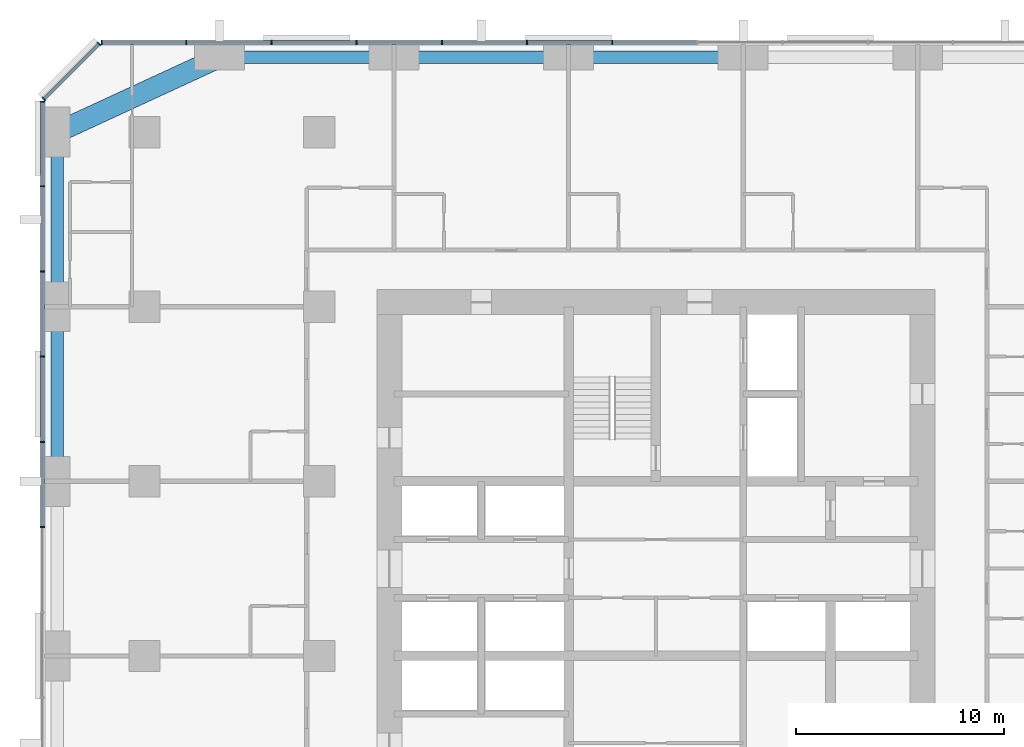
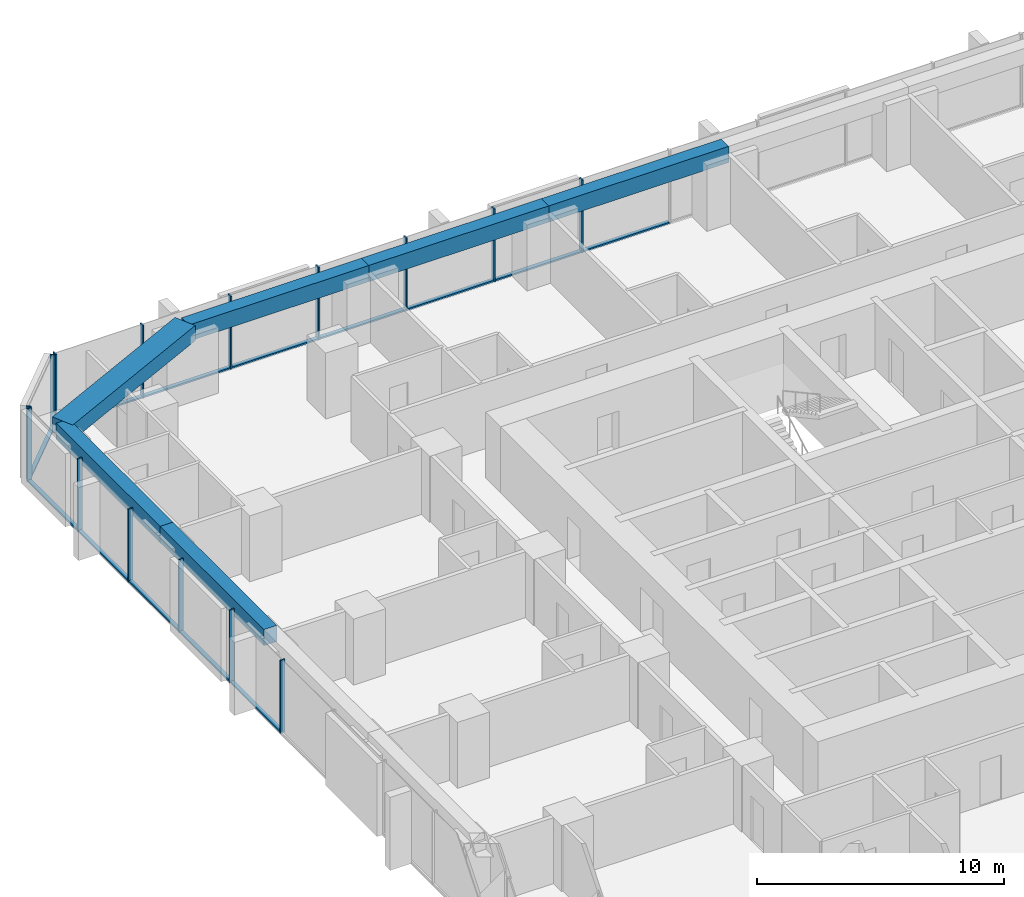
# One storey, part 5 of 13: 28 members, 6 beams, 3 elements without a shape of their own.
"""IFC4 building model written with IfcOpenShell, lengths in metres."""

from ifc_helpers import new_model, si_unit, direction, frame, origin, origin_2d, place, context, subcontext, project, spatial, rectangle, extrude, material, material_profile, profile_set, type_object, element, aggregate, save


model = new_model("IFC4")

# Units and contexts
model_context = context("Model", 3, precision=1e-05, world=origin(), true_north=direction((0.0, 1.0)))
body_context = subcontext(model_context, "Body", "Model", "MODEL_VIEW")
ifc_project = project(units=[si_unit("LENGTHUNIT", "METRE"), si_unit("AREAUNIT", "SQUARE_METRE"), si_unit("VOLUMEUNIT", "CUBIC_METRE"), si_unit("PLANEANGLEUNIT", "RADIAN"), si_unit("MASSUNIT", "GRAM", prefix="KILO")], contexts=[model_context])

# Site, building, storey
site_placement = place(None, origin())
site = spatial("IfcSite", under=ifc_project, at=site_placement, CompositionType="ELEMENT")
building_placement = place(site_placement, origin())
building = spatial("IfcBuilding", under=site, at=building_placement, Name="Dunama Terrace Hotel", CompositionType="ELEMENT")
storey_placement = place(building_placement, frame((0.0, 0.0, 115.199951171875)))
storey = spatial("IfcBuildingStorey", under=building, at=storey_placement, Name="L29", CompositionType="ELEMENT", Elevation=115.199951171875)

# Curtain wall, members
ifc_material_1 = material(Name="Aluminium curtain wall system", Category="aluminium")
curtain_wall_type = type_object("IfcCurtainWallType", Name="Unitised fritted glass wall CW-B", PredefinedType="NOTDEFINED", material=ifc_material_1)
curtain_wall_1_placement = place(storey_placement, origin())
curtain_wall_1 = element("IfcCurtainWall", 1, at=curtain_wall_1_placement, inside=storey, type_object=curtain_wall_type, Name="Unitised fritted glass wall CW-B L29", PredefinedType="NOTDEFINED")
ifc_material_2 = material(Name="Aluminium mullion", Category="aluminium")
ifc_material_profile_1 = material_profile(ifc_material_2, rectangle(XDim=0.06494140625, YDim=0.219970703125, at=origin_2d()), Name="CWB MULLION 65X220")
ifc_profile_set_1 = profile_set([ifc_material_profile_1], Name="Aluminium mullion")
member_type_1 = type_object("IfcMemberType", Name="CWB mullion 65x220", PredefinedType="MULLION", material=ifc_profile_set_1)
member_1_placement = place(storey_placement, frame((27.300048828125, 54.7099609375, 0.0), z_axis=(0.0, 0.0, 1.0), x_axis=(-1.0, 0.0, 0.0)))
member_1 = element("IfcMember", 2, at=member_1_placement, type_object=member_type_1, Name="CWB mullion", PredefinedType="MULLION", context=body_context, shape_type="SweptSolid", body=[
    extrude(rectangle(XDim=0.06494140625, YDim=0.219970703125, at=origin_2d()), origin(), (0.0, 0.0, 1.0), 3.60009765625),
])
member_2_placement = place(storey_placement, frame((23.199951171875, 54.7099609375, 0.0), z_axis=(0.0, 0.0, 1.0), x_axis=(-1.0, 0.0, 0.0)))
member_2 = element("IfcMember", 3, at=member_2_placement, type_object=member_type_1, Name="CWB mullion", PredefinedType="MULLION", context=body_context, shape_type="SweptSolid", body=[
    extrude(rectangle(XDim=0.06494140625, YDim=0.219970703125, at=origin_2d()), origin(), (0.0, 0.0, 1.0), 3.60009765625),
])
member_3_placement = place(storey_placement, frame((19.10009765625, 54.7099609375, 0.0), z_axis=(0.0, 0.0, 1.0), x_axis=(-1.0, 0.0, 0.0)))
member_3 = element("IfcMember", 4, at=member_3_placement, type_object=member_type_1, Name="CWB mullion", PredefinedType="MULLION", context=body_context, shape_type="SweptSolid", body=[
    extrude(rectangle(XDim=0.06494140625, YDim=0.219970703125, at=origin_2d()), origin(), (0.0, 0.0, 1.0), 3.60009765625),
])
member_4_placement = place(storey_placement, frame((15.0, 54.7099609375, 0.0), z_axis=(0.0, 0.0, 1.0), x_axis=(-1.0, 0.0, 0.0)))
member_4 = element("IfcMember", 5, at=member_4_placement, type_object=member_type_1, Name="CWB mullion", PredefinedType="MULLION", context=body_context, shape_type="SweptSolid", body=[
    extrude(rectangle(XDim=0.06494140625, YDim=0.219970703125, at=origin_2d()), origin(), (0.0, 0.0, 1.0), 3.60009765625),
])
member_5_placement = place(storey_placement, frame((10.89990234375, 54.7099609375, 0.0), z_axis=(0.0, 0.0, 1.0), x_axis=(-1.0, 0.0, 0.0)))
member_5 = element("IfcMember", 6, at=member_5_placement, type_object=member_type_1, Name="CWB mullion", PredefinedType="MULLION", context=body_context, shape_type="SweptSolid", body=[
    extrude(rectangle(XDim=0.06494140625, YDim=0.219970703125, at=origin_2d()), origin(), (0.0, 0.0, 1.0), 3.60009765625),
])
member_6_placement = place(storey_placement, frame((6.800048828125, 54.7099609375, 0.0), z_axis=(0.0, 0.0, 1.0), x_axis=(-1.0, 0.0, 0.0)))
member_6 = element("IfcMember", 7, at=member_6_placement, type_object=member_type_1, Name="CWB mullion", PredefinedType="MULLION", context=body_context, shape_type="SweptSolid", body=[
    extrude(rectangle(XDim=0.06494140625, YDim=0.219970703125, at=origin_2d()), origin(), (0.0, 0.0, 1.0), 3.60009765625),
])
member_7_placement = place(storey_placement, frame((2.73291015625, 54.7099609375, 0.0), z_axis=(0.0, 0.0, 1.0), x_axis=(-1.0, 0.0, 0.0)))
member_7 = element("IfcMember", 8, at=member_7_placement, type_object=member_type_1, Name="CWB mullion", PredefinedType="MULLION", context=body_context, shape_type="SweptSolid", body=[
    extrude(rectangle(XDim=0.06494140625, YDim=0.219970703125, at=origin_2d()), origin(), (0.0, 0.0, 1.0), 3.60009765625),
])

curtain_wall_2_placement = place(storey_placement, origin())
curtain_wall_2 = element("IfcCurtainWall", 9, at=curtain_wall_2_placement, inside=storey, type_object=curtain_wall_type, Name="Unitised fritted glass wall CW-B L29", PredefinedType="NOTDEFINED")
member_8_placement = place(storey_placement, frame((2.59912109375, 54.655029296875, 0.0), z_axis=(0.0, 0.0, 1.0), x_axis=(-0.707106781187, -0.707106781187, 0.0)))
member_8 = element("IfcMember", 10, at=member_8_placement, type_object=member_type_1, Name="CWB mullion", PredefinedType="MULLION", context=body_context, shape_type="SweptSolid", body=[
    extrude(rectangle(XDim=0.06494140625, YDim=0.219970703125, at=origin_2d()), origin(), (0.0, 0.0, 1.0), 3.60009765625),
])
member_9_placement = place(storey_placement, frame((-0.054931640625, 52.0009765625, 0.0), z_axis=(0.0, 0.0, 1.0), x_axis=(-0.707106781187, -0.707106781187, 0.0)))
member_9 = element("IfcMember", 11, at=member_9_placement, type_object=member_type_1, Name="CWB mullion", PredefinedType="MULLION", context=body_context, shape_type="SweptSolid", body=[
    extrude(rectangle(XDim=0.06494140625, YDim=0.219970703125, at=origin_2d()), origin(), (0.0, 0.0, 1.0), 3.60009765625),
])

curtain_wall_3_placement = place(storey_placement, origin())
curtain_wall_3 = element("IfcCurtainWall", 12, at=curtain_wall_3_placement, inside=storey, type_object=curtain_wall_type, Name="Unitised fritted glass wall CW-B L29", PredefinedType="NOTDEFINED")
member_10_placement = place(storey_placement, frame((-0.110107421875, 51.866943359375, 0.0), z_axis=(0.0, 0.0, 1.0), x_axis=(0.0, -1.0, 0.0)))
member_10 = element("IfcMember", 13, at=member_10_placement, type_object=member_type_1, Name="CWB mullion", PredefinedType="MULLION", context=body_context, shape_type="SweptSolid", body=[
    extrude(rectangle(XDim=0.06494140625, YDim=0.219970703125, at=origin_2d()), origin(), (0.0, 0.0, 1.0), 3.60009765625),
])
member_11_placement = place(storey_placement, frame((-0.110107421875, 47.800048828125, 0.0), z_axis=(0.0, 0.0, 1.0), x_axis=(0.0, -1.0, 0.0)))
member_11 = element("IfcMember", 14, at=member_11_placement, type_object=member_type_1, Name="CWB mullion", PredefinedType="MULLION", context=body_context, shape_type="SweptSolid", body=[
    extrude(rectangle(XDim=0.06494140625, YDim=0.219970703125, at=origin_2d()), origin(), (0.0, 0.0, 1.0), 3.60009765625),
])
member_12_placement = place(storey_placement, frame((-0.110107421875, 43.699951171875, 0.0), z_axis=(0.0, 0.0, 1.0), x_axis=(0.0, -1.0, 0.0)))
member_12 = element("IfcMember", 15, at=member_12_placement, type_object=member_type_1, Name="CWB mullion", PredefinedType="MULLION", context=body_context, shape_type="SweptSolid", body=[
    extrude(rectangle(XDim=0.06494140625, YDim=0.219970703125, at=origin_2d()), origin(), (0.0, 0.0, 1.0), 3.60009765625),
])
member_13_placement = place(storey_placement, frame((-0.110107421875, 39.60009765625, 0.0), z_axis=(0.0, 0.0, 1.0), x_axis=(0.0, -1.0, 0.0)))
member_13 = element("IfcMember", 16, at=member_13_placement, type_object=member_type_1, Name="CWB mullion", PredefinedType="MULLION", context=body_context, shape_type="SweptSolid", body=[
    extrude(rectangle(XDim=0.06494140625, YDim=0.219970703125, at=origin_2d()), origin(), (0.0, 0.0, 1.0), 3.60009765625),
])
member_14_placement = place(storey_placement, frame((-0.110107421875, 35.5, 0.0), z_axis=(0.0, 0.0, 1.0), x_axis=(0.0, -1.0, 0.0)))
member_14 = element("IfcMember", 17, at=member_14_placement, type_object=member_type_1, Name="CWB mullion", PredefinedType="MULLION", context=body_context, shape_type="SweptSolid", body=[
    extrude(rectangle(XDim=0.06494140625, YDim=0.219970703125, at=origin_2d()), origin(), (0.0, 0.0, 1.0), 3.60009765625),
])
member_15_placement = place(storey_placement, frame((-0.110107421875, 31.39990234375, 0.0), z_axis=(0.0, 0.0, 1.0), x_axis=(0.0, -1.0, 0.0)))
member_15 = element("IfcMember", 18, at=member_15_placement, type_object=member_type_1, Name="CWB mullion", PredefinedType="MULLION", context=body_context, shape_type="SweptSolid", body=[
    extrude(rectangle(XDim=0.06494140625, YDim=0.219970703125, at=origin_2d()), origin(), (0.0, 0.0, 1.0), 3.60009765625),
])

# Member
ifc_material_3 = material(Name="Aluminium transom", Category="aluminium")
ifc_material_profile_2 = material_profile(ifc_material_3, rectangle(XDim=0.179931640625, YDim=0.080078125, at=origin_2d()), Name="CWB TRANSOM 180X80")
ifc_profile_set_2 = profile_set([ifc_material_profile_2], Name="Aluminium transom")
member_type_2 = type_object("IfcMemberType", Name="CWB transom 180x80", PredefinedType="USERDEFINED", material=ifc_profile_set_2)
member_16_placement = place(storey_placement, frame((31.366943359375, 54.7099609375, 0.0400390625), z_axis=(-1.0, 0.0, 0.0), x_axis=(0.0, -1.0, 0.0)))
member_16 = element("IfcMember", 19, at=member_16_placement, type_object=member_type_2, Name="CWB transom", ObjectType="TRANSOM", PredefinedType="USERDEFINED", context=body_context, shape_type="SweptSolid", body=[
    extrude(rectangle(XDim=0.179931640625, YDim=0.080078125, at=origin_2d()), origin(), (0.0, 0.0, 1.0), 4.034912109375),
])

member_17_placement = place(storey_placement, frame((27.26806640625, 54.7099609375, 0.0400390625), z_axis=(-1.0, 0.0, 0.0), x_axis=(0.0, -1.0, 0.0)))
member_17 = element("IfcMember", 20, at=member_17_placement, type_object=member_type_2, Name="CWB transom", ObjectType="TRANSOM", PredefinedType="USERDEFINED", context=body_context, shape_type="SweptSolid", body=[
    extrude(rectangle(XDim=0.179931640625, YDim=0.080078125, at=origin_2d()), origin(), (0.0, 0.0, 1.0), 4.03515625),
])

member_18_placement = place(storey_placement, frame((23.16796875, 54.7099609375, 0.0400390625), z_axis=(-1.0, 0.0, 0.0), x_axis=(0.0, -1.0, 0.0)))
member_18 = element("IfcMember", 21, at=member_18_placement, type_object=member_type_2, Name="CWB transom", ObjectType="TRANSOM", PredefinedType="USERDEFINED", context=body_context, shape_type="SweptSolid", body=[
    extrude(rectangle(XDim=0.179931640625, YDim=0.080078125, at=origin_2d()), origin(), (0.0, 0.0, 1.0), 4.034912109375),
])

member_19_placement = place(storey_placement, frame((19.068115234375, 54.7099609375, 0.0400390625), z_axis=(-1.0, 0.0, 0.0), x_axis=(0.0, -1.0, 0.0)))
member_19 = element("IfcMember", 22, at=member_19_placement, type_object=member_type_2, Name="CWB transom", ObjectType="TRANSOM", PredefinedType="USERDEFINED", context=body_context, shape_type="SweptSolid", body=[
    extrude(rectangle(XDim=0.179931640625, YDim=0.080078125, at=origin_2d()), origin(), (0.0, 0.0, 1.0), 4.0361328125),
])

member_20_placement = place(storey_placement, frame((14.968017578125, 54.7099609375, 0.0400390625), z_axis=(-1.0, 0.0, 0.0), x_axis=(0.0, -1.0, 0.0)))
member_20 = element("IfcMember", 23, at=member_20_placement, type_object=member_type_2, Name="CWB transom", ObjectType="TRANSOM", PredefinedType="USERDEFINED", context=body_context, shape_type="SweptSolid", body=[
    extrude(rectangle(XDim=0.179931640625, YDim=0.080078125, at=origin_2d()), origin(), (0.0, 0.0, 1.0), 4.0361328125),
])

member_21_placement = place(storey_placement, frame((10.866943359375, 54.7099609375, 0.0400390625), z_axis=(-1.0, 0.0, 0.0), x_axis=(0.0, -1.0, 0.0)))
member_21 = element("IfcMember", 24, at=member_21_placement, type_object=member_type_2, Name="CWB transom", ObjectType="TRANSOM", PredefinedType="USERDEFINED", context=body_context, shape_type="SweptSolid", body=[
    extrude(rectangle(XDim=0.179931640625, YDim=0.080078125, at=origin_2d()), origin(), (0.0, 0.0, 1.0), 4.033935546875),
])

member_22_placement = place(storey_placement, frame((6.76806640625, 54.7099609375, 0.0400390625), z_axis=(-1.0, 0.0, 0.0), x_axis=(0.0, -1.0, 0.0)))
member_22 = element("IfcMember", 25, at=member_22_placement, type_object=member_type_2, Name="CWB transom", ObjectType="TRANSOM", PredefinedType="USERDEFINED", context=body_context, shape_type="SweptSolid", body=[
    extrude(rectangle(XDim=0.179931640625, YDim=0.080078125, at=origin_2d()), origin(), (0.0, 0.0, 1.0), 4.003173828125),
])

aggregate(curtain_wall_1, [member_1, member_2, member_3, member_4, member_5, member_6, member_7, member_16, member_17, member_18, member_19, member_20, member_21, member_22])

member_23_placement = place(storey_placement, frame((2.575927734375, 54.632080078125, 0.0400390625), z_axis=(-0.707073683909, -0.707139876915, 0.0), x_axis=(0.707139876915, -0.707073683909, 0.0)))
member_23 = element("IfcMember", 26, at=member_23_placement, type_object=member_type_2, Name="CWB transom", ObjectType="TRANSOM", PredefinedType="USERDEFINED", context=body_context, shape_type="SweptSolid", body=[
    extrude(rectangle(XDim=0.179931640625, YDim=0.080078125, at=origin_2d()), origin(), (0.0, 0.0, 1.0), 3.688232421875),
])

aggregate(curtain_wall_2, [member_8, member_9, member_23])

member_24_placement = place(storey_placement, frame((-0.110107421875, 51.8349609375, 0.0400390625), z_axis=(0.0, -1.0, 0.0), x_axis=(1.0, 0.0, 0.0)))
member_24 = element("IfcMember", 27, at=member_24_placement, type_object=member_type_2, Name="CWB transom", ObjectType="TRANSOM", PredefinedType="USERDEFINED", context=body_context, shape_type="SweptSolid", body=[
    extrude(rectangle(XDim=0.179931640625, YDim=0.080078125, at=origin_2d()), origin(), (0.0, 0.0, 1.0), 4.0029296875),
])

member_25_placement = place(storey_placement, frame((-0.110107421875, 47.76708984375, 0.0400390625), z_axis=(0.0, -1.0, 0.0), x_axis=(1.0, 0.0, 0.0)))
member_25 = element("IfcMember", 28, at=member_25_placement, type_object=member_type_2, Name="CWB transom", ObjectType="TRANSOM", PredefinedType="USERDEFINED", context=body_context, shape_type="SweptSolid", body=[
    extrude(rectangle(XDim=0.179931640625, YDim=0.080078125, at=origin_2d()), origin(), (0.0, 0.0, 1.0), 4.0341796875),
])

member_26_placement = place(storey_placement, frame((-0.110107421875, 43.6669921875, 0.0400390625), z_axis=(0.0, -1.0, 0.0), x_axis=(1.0, 0.0, 0.0)))
member_26 = element("IfcMember", 29, at=member_26_placement, type_object=member_type_2, Name="CWB transom", ObjectType="TRANSOM", PredefinedType="USERDEFINED", context=body_context, shape_type="SweptSolid", body=[
    extrude(rectangle(XDim=0.179931640625, YDim=0.080078125, at=origin_2d()), origin(), (0.0, 0.0, 1.0), 4.033935546875),
])

member_27_placement = place(storey_placement, frame((-0.110107421875, 39.56689453125, 0.0400390625), z_axis=(0.0, -1.0, 0.0), x_axis=(1.0, 0.0, 0.0)))
member_27 = element("IfcMember", 30, at=member_27_placement, type_object=member_type_2, Name="CWB transom", ObjectType="TRANSOM", PredefinedType="USERDEFINED", context=body_context, shape_type="SweptSolid", body=[
    extrude(rectangle(XDim=0.179931640625, YDim=0.080078125, at=origin_2d()), origin(), (0.0, 0.0, 1.0), 4.034912109375),
])

member_28_placement = place(storey_placement, frame((-0.110107421875, 35.468017578125, 0.0400390625), z_axis=(0.0, -1.0, 0.0), x_axis=(1.0, 0.0, 0.0)))
member_28 = element("IfcMember", 31, at=member_28_placement, type_object=member_type_2, Name="CWB transom", ObjectType="TRANSOM", PredefinedType="USERDEFINED", context=body_context, shape_type="SweptSolid", body=[
    extrude(rectangle(XDim=0.179931640625, YDim=0.080078125, at=origin_2d()), origin(), (0.0, 0.0, 1.0), 4.0361328125),
])

aggregate(curtain_wall_3, [member_10, member_11, member_12, member_13, member_14, member_15, member_24, member_25, member_26, member_27, member_28])

# Beams
ifc_material_4 = material(Name="Concrete C50/60", Category="concrete")
ifc_material_profile_3 = material_profile(ifc_material_4, rectangle(XDim=1.0, YDim=0.75, at=origin_2d()), Name="RC 1000x750")
ifc_profile_set_3 = profile_set([ifc_material_profile_3], Name="Concrete C50/60")
beam_type_1 = type_object("IfcBeamType", Name="Edge beam RC 1000x750", PredefinedType="SPANDREL", material=ifc_profile_set_3)
beam_1_placement = place(storey_placement, frame((8.39990234375, 54.0, 3.22509765625), z_axis=(-0.907951066374, -0.419076199598, 0.0), x_axis=(0.419076199598, -0.907951066374, 0.0)))
element("IfcBeam", 32, at=beam_1_placement, inside=storey, type_object=beam_type_1, Name="Corner edge beam under L30", PredefinedType="SPANDREL", context=body_context, shape_type="SweptSolid", body=[
    extrude(rectangle(XDim=1.0, YDim=0.75, at=origin_2d()), origin(), (0.0, 0.0, 1.0), 8.590576171875),
])
ifc_material_5 = material(Name="Concrete C40/50", Category="concrete")
ifc_material_profile_4 = material_profile(ifc_material_5, rectangle(XDim=0.60009765625, YDim=0.800048828125, at=origin_2d()), Name="RC 600x800")
ifc_profile_set_4 = profile_set([ifc_material_profile_4], Name="Concrete C40/50")
beam_type_2 = type_object("IfcBeamType", Name="Edge beam RC 600x800", PredefinedType="SPANDREL", material=ifc_profile_set_4)
for number, where, z_axis, x_axis, name in (
    (33, (0.60009765625, 33.60009765625, 3.199951171875), (0.0, 1.0, 0.0), (-1.0, 0.0, 0.0), "Edge beam under L30"),
    (34, (0.60009765625, 42.0, 3.199951171875), (0.0, 1.0, 0.0), (-1.0, 0.0, 0.0), "Edge beam under L30"),
):
    element("IfcBeam", number, at=place(storey_placement, frame(where, z_axis=z_axis, x_axis=x_axis)), inside=storey, type_object=beam_type_2, Name=name, PredefinedType="SPANDREL", context=body_context, shape_type="SweptSolid", body=[
        extrude(rectangle(XDim=0.60009765625, YDim=0.800048828125, at=origin_2d()), origin(), (0.0, 0.0, 1.0), 8.39990234375),
    ])
beam_2_placement = place(storey_placement, frame((8.39990234375, 54.0, 3.199951171875), z_axis=(1.0, 0.0, 0.0), x_axis=(0.0, 1.0, 0.0)))
element("IfcBeam", 35, at=beam_2_placement, inside=storey, type_object=beam_type_2, Name="Edge beam under L30", PredefinedType="SPANDREL", context=body_context, shape_type="SweptSolid", body=[
    extrude(rectangle(XDim=0.60009765625, YDim=0.800048828125, at=origin_2d()), origin(), (0.0, 0.0, 1.0), 8.400146484375),
])
beam_3_placement = place(storey_placement, frame((16.800048828125, 54.0, 3.199951171875), z_axis=(1.0, 0.0, 0.0), x_axis=(0.0, 1.0, 0.0)))
element("IfcBeam", 36, at=beam_3_placement, inside=storey, type_object=beam_type_2, Name="Edge beam under L30", PredefinedType="SPANDREL", context=body_context, shape_type="SweptSolid", body=[
    extrude(rectangle(XDim=0.60009765625, YDim=0.800048828125, at=origin_2d()), origin(), (0.0, 0.0, 1.0), 8.39990234375),
])
beam_4_placement = place(storey_placement, frame((25.199951171875, 54.0, 3.199951171875), z_axis=(1.0, 0.0, 0.0), x_axis=(0.0, 1.0, 0.0)))
element("IfcBeam", 37, at=beam_4_placement, inside=storey, type_object=beam_type_2, Name="Edge beam under L30", PredefinedType="SPANDREL", context=body_context, shape_type="SweptSolid", body=[
    extrude(rectangle(XDim=0.60009765625, YDim=0.800048828125, at=origin_2d()), origin(), (0.0, 0.0, 1.0), 8.400146484375),
])

save(model, "model.ifc")
